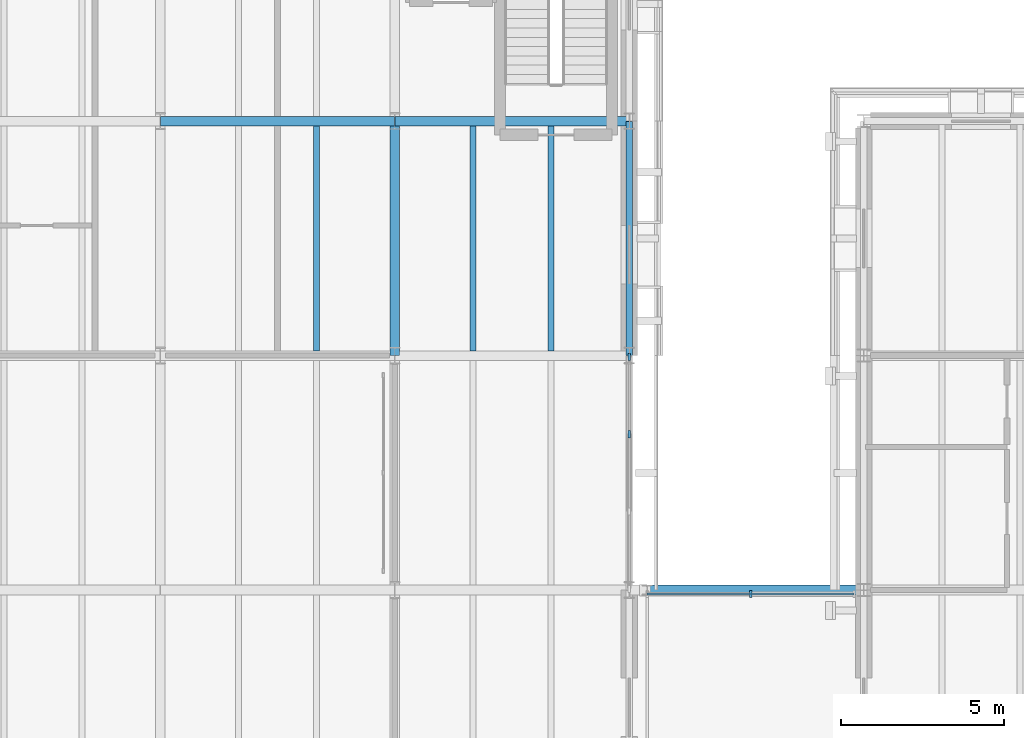
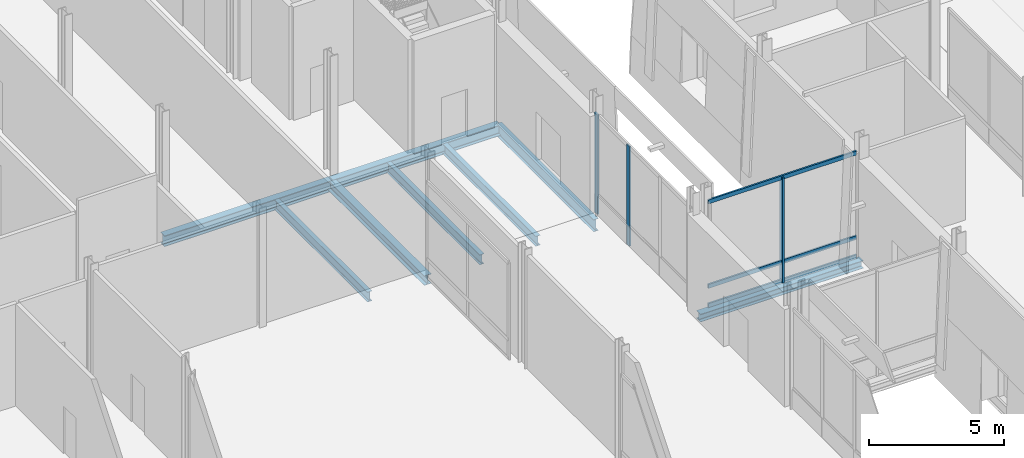
# One storey, part 30 of 120: 8 beams, 6 members, 2 elements without a shape of their own.
"""IFC4 building model written with IfcOpenShell, lengths in metres."""

from ifc_helpers import new_model, si_unit, direction, frame, origin, origin_2d, place, context, subcontext, project, spatial, rectangle, i_section, extrude, material, layer, layer_set, material_profile, profile_set, type_object, element, aggregate, save


model = new_model("IFC4")

# Units and contexts
model_context = context("Model", 3, precision=1e-05, world=origin(), true_north=direction((0.0, 1.0)))
body_context = subcontext(model_context, "Body", "Model", "MODEL_VIEW")
ifc_project = project(units=[si_unit("LENGTHUNIT", "METRE"), si_unit("AREAUNIT", "SQUARE_METRE"), si_unit("VOLUMEUNIT", "CUBIC_METRE"), si_unit("PLANEANGLEUNIT", "RADIAN"), si_unit("MASSUNIT", "GRAM", prefix="KILO")], contexts=[model_context])

# Site, building, storey
site_placement = place(None, origin())
site = spatial("IfcSite", under=ifc_project, at=site_placement, CompositionType="ELEMENT")
building_placement = place(site_placement, origin())
building = spatial("IfcBuilding", under=site, at=building_placement, Name="Narikvali Park Central Library", CompositionType="ELEMENT")
storey_placement = place(building_placement, origin())
storey = spatial("IfcBuildingStorey", under=building, at=storey_placement, Name="L00", CompositionType="ELEMENT", Elevation=0.0)

# Beams
ifc_material_1 = material(Name="Steel S355", Category="steel")
ifc_material_profile_1 = material_profile(ifc_material_1, i_section(OverallWidth=0.300048828125, OverallDepth=0.35009765625, WebThickness=0.010009765625, FlangeThickness=0.017578125, FilletRadius=0.027099609375, at=origin_2d()), Name="HEA 360")
ifc_profile_set_1 = profile_set([ifc_material_profile_1], Name="Steel S355")
beam_type_1 = type_object("IfcBeamType", Name="Bridge Sliding Girder HEA360", PredefinedType="BEAM", material=ifc_profile_set_1)
beam_1_placement = place(storey_placement, frame((57.820068359375, 79.199951171875, -0.425048828125), z_axis=(1.0, 0.0, 0.0), x_axis=(0.0, 1.0, 0.0)))
element("IfcBeam", 1, at=beam_1_placement, inside=storey, type_object=beam_type_1, Name="BRG-2 L00 Sliding Bridge Girder 2-1", PredefinedType="BEAM", context=body_context, shape_type="SweptSolid", body=[
    extrude(i_section(OverallWidth=0.300048828125, OverallDepth=0.35009765625, WebThickness=0.010009765625, FlangeThickness=0.017578125, FilletRadius=0.027099609375, at=origin_2d()), origin(), (0.0, 0.0, 1.0), 6.969970703125),
])
ifc_material_profile_2 = material_profile(ifc_material_1, i_section(OverallWidth=0.18994140625, OverallDepth=0.449951171875, WebThickness=0.009521484375, FlangeThickness=0.0146484375, FilletRadius=0.02099609375, at=origin_2d()), Name="IPE 450")
ifc_profile_set_2 = profile_set([ifc_material_profile_2], Name="Steel S355")
beam_type_2 = type_object("IfcBeamType", Name="Composite Floor Joist IPE450", PredefinedType="JOIST", material=ifc_profile_set_2)
for number, where, z_axis, x_axis, name in (
    (2, (48.0, 86.550048828125, -0.544921875), (0.0, 1.0, 0.0), (-1.0, 0.0, 0.0), "V4 L00 Composite Joist 2"),
    (3, (52.800048828125, 86.550048828125, -0.544921875), (0.0, 1.0, 0.0), (-1.0, 0.0, 0.0), "V4 L00 Composite Joist 1"),
    (4, (55.199951171875, 86.550048828125, -0.544921875), (0.0, 1.0, 0.0), (-1.0, 0.0, 0.0), "V4 L00 Composite Joist 2"),
):
    element("IfcBeam", number, at=place(storey_placement, frame(where, z_axis=z_axis, x_axis=x_axis)), inside=storey, type_object=beam_type_2, Name=name, PredefinedType="JOIST", context=body_context, shape_type="SweptSolid", body=[
        extrude(i_section(OverallWidth=0.18994140625, OverallDepth=0.449951171875, WebThickness=0.009521484375, FlangeThickness=0.0146484375, FilletRadius=0.02099609375, at=origin_2d()), origin(), (0.0, 0.0, 1.0), 6.89990234375),
    ])

# Curtain wall, members
ifc_material_2 = material(Name="Anodised Bronze Aluminium", Category="aluminium")
ifc_layer_1 = layer(ifc_material_2, 0.219970703125, Name="Anodised Bronze Aluminium")
ifc_layer_set_1 = layer_set([ifc_layer_1], Name="Anodised Bronze Aluminium")
curtain_wall_type_1 = type_object("IfcCurtainWallType", Name="Atrium Tall Curtain Wall System", PredefinedType="NOTDEFINED", material=ifc_layer_set_1)
curtain_wall_1_placement = place(storey_placement, origin())
curtain_wall_1 = element("IfcCurtainWall", 5, at=curtain_wall_1_placement, inside=storey, type_object=curtain_wall_type_1, Name="Atrium Tall Curtain Wall System CW-V4-L00-E-05", PredefinedType="NOTDEFINED")
ifc_material_profile_3 = material_profile(ifc_material_2, rectangle(XDim=0.074951171875, YDim=0.219970703125, at=origin_2d()), Name="CW MULLION 75x220")
ifc_profile_set_3 = profile_set([ifc_material_profile_3], Name="Anodised Bronze Aluminium")
member_type_1 = type_object("IfcMemberType", Name="Curtain Wall Heavy Mullion 75x220", PredefinedType="MULLION", material=ifc_profile_set_3)
member_1_placement = place(storey_placement, frame((57.60009765625, 83.9873046875, -0.010009765625), z_axis=(0.0, 0.0, 1.0), x_axis=(1.0, 0.0, 0.0)))
member_1 = element("IfcMember", 6, at=member_1_placement, type_object=member_type_1, Name="CW-V4-L00-E-05 Mullion 02", PredefinedType="MULLION", context=body_context, shape_type="SweptSolid", body=[
    extrude(rectangle(XDim=0.074951171875, YDim=0.219970703125, at=origin_2d()), origin(), (0.0, 0.0, 1.0), 4.510009765625),
])
member_2_placement = place(storey_placement, frame((57.60009765625, 86.362060546875, -0.010009765625), z_axis=(0.0, 0.0, 1.0), x_axis=(1.0, 0.0, 0.0)))
member_2 = element("IfcMember", 7, at=member_2_placement, type_object=member_type_1, Name="CW-V4-L00-E-05 Mullion 03", PredefinedType="MULLION", context=body_context, shape_type="SweptSolid", body=[
    extrude(rectangle(XDim=0.074951171875, YDim=0.219970703125, at=origin_2d()), origin(), (0.0, 0.0, 1.0), 4.510009765625),
])
aggregate(curtain_wall_1, [member_1, member_2])

ifc_layer_2 = layer(ifc_material_2, 0.219970703125, Name="Anodised Bronze Aluminium")
ifc_layer_set_2 = layer_set([ifc_layer_2], Name="Anodised Bronze Aluminium")
curtain_wall_type_2 = type_object("IfcCurtainWallType", Name="Bridge Covered Passage Glazing System", PredefinedType="NOTDEFINED", material=ifc_layer_set_2)
curtain_wall_2_placement = place(storey_placement, origin())
curtain_wall_2 = element("IfcCurtainWall", 8, at=curtain_wall_2_placement, inside=storey, type_object=curtain_wall_type_2, Name="Bridge Covered Passage Glazing System CW-BRG-2-L00-N1", PredefinedType="NOTDEFINED")
member_3_placement = place(storey_placement, frame((61.324951171875, 79.080078125, -0.010009765625), z_axis=(0.0, 0.0, 1.0), x_axis=(1.0, 0.0, 0.0)))
member_3 = element("IfcMember", 9, at=member_3_placement, type_object=member_type_1, Name="CW-BRG-2-L00-N1 Mullion 01", PredefinedType="MULLION", context=body_context, shape_type="SweptSolid", body=[
    extrude(rectangle(XDim=0.074951171875, YDim=0.219970703125, at=origin_2d()), origin(), (0.0, 0.0, 1.0), 4.760009765625),
])
ifc_material_profile_4 = material_profile(ifc_material_2, rectangle(XDim=0.074951171875, YDim=0.179931640625, at=origin_2d()), Name="CW TRANSOM 75x180")
ifc_profile_set_4 = profile_set([ifc_material_profile_4], Name="Anodised Bronze Aluminium")
member_type_2 = type_object("IfcMemberType", Name="Curtain Wall Heavy Transom 75x180", PredefinedType="USERDEFINED", material=ifc_profile_set_4)
member_4_placement = place(storey_placement, frame((58.14990234375, 79.080078125, 0.030029296875), z_axis=(1.0, 0.0, 0.0), x_axis=(0.0, 1.0, 0.0)))
member_4 = element("IfcMember", 10, at=member_4_placement, type_object=member_type_2, Name="CW-BRG-2-L00-N1 Transom 00", ObjectType="TRANSOM", PredefinedType="USERDEFINED", context=body_context, shape_type="SweptSolid", body=[
    extrude(rectangle(XDim=0.074951171875, YDim=0.179931640625, at=origin_2d()), origin(), (0.0, 0.0, 1.0), 6.35009765625),
])
member_5_placement = place(storey_placement, frame((58.14990234375, 79.080078125, 0.89990234375), z_axis=(1.0, 0.0, 0.0), x_axis=(0.0, 1.0, 0.0)))
member_5 = element("IfcMember", 11, at=member_5_placement, type_object=member_type_2, Name="CW-BRG-2-L00-N1 Transom 01", ObjectType="TRANSOM", PredefinedType="USERDEFINED", context=body_context, shape_type="SweptSolid", body=[
    extrude(rectangle(XDim=0.074951171875, YDim=0.179931640625, at=origin_2d()), origin(), (0.0, 0.0, 1.0), 6.35009765625),
])
member_6_placement = place(storey_placement, frame((58.14990234375, 79.080078125, 4.719970703125), z_axis=(1.0, 0.0, 0.0), x_axis=(0.0, 1.0, 0.0)))
member_6 = element("IfcMember", 12, at=member_6_placement, type_object=member_type_2, Name="CW-BRG-2-L00-N1 Transom 02", ObjectType="TRANSOM", PredefinedType="USERDEFINED", context=body_context, shape_type="SweptSolid", body=[
    extrude(rectangle(XDim=0.074951171875, YDim=0.179931640625, at=origin_2d()), origin(), (0.0, 0.0, 1.0), 6.35009765625),
])
aggregate(curtain_wall_2, [member_3, member_4, member_5, member_6])

# Beams
ifc_material_profile_5 = material_profile(ifc_material_1, i_section(OverallWidth=0.2099609375, OverallDepth=0.550048828125, WebThickness=0.010986328125, FlangeThickness=0.01708984375, FilletRadius=0.02392578125, at=origin_2d()), Name="IPE 550")
ifc_profile_set_5 = profile_set([ifc_material_profile_5], Name="Steel S355")
beam_type_3 = type_object("IfcBeamType", Name="Perimeter Spandrel IPE550", PredefinedType="SPANDREL", material=ifc_profile_set_5)
beam_2_placement = place(storey_placement, frame((57.60009765625, 86.407958984375, -0.594970703125), z_axis=(0.0, 1.0, 0.0), x_axis=(-1.0, 0.0, 0.0)))
element("IfcBeam", 13, at=beam_2_placement, inside=storey, type_object=beam_type_3, Name="V4 L00 Girder Y", PredefinedType="SPANDREL", context=body_context, shape_type="SweptSolid", body=[
    extrude(i_section(OverallWidth=0.2099609375, OverallDepth=0.550048828125, WebThickness=0.010986328125, FlangeThickness=0.01708984375, FilletRadius=0.02392578125, at=origin_2d()), origin(), (0.0, 0.0, 1.0), 7.18408203125),
])
ifc_material_profile_6 = material_profile(ifc_material_1, i_section(OverallWidth=0.300048828125, OverallDepth=0.43994140625, WebThickness=0.011474609375, FlangeThickness=0.02099609375, FilletRadius=0.027099609375, at=origin_2d()), Name="HEA 450")
ifc_profile_set_6 = profile_set([ifc_material_profile_6], Name="Steel S355")
beam_type_4 = type_object("IfcBeamType", Name="Primary Girder HEA450", PredefinedType="BEAM", material=ifc_profile_set_6)
beam_3_placement = place(storey_placement, frame((50.39990234375, 86.407958984375, -0.5400390625), z_axis=(0.0, 1.0, 0.0), x_axis=(-1.0, 0.0, 0.0)))
element("IfcBeam", 14, at=beam_3_placement, inside=storey, type_object=beam_type_4, Name="V4 L00 Girder Y", PredefinedType="BEAM", context=body_context, shape_type="SweptSolid", body=[
    extrude(i_section(OverallWidth=0.300048828125, OverallDepth=0.43994140625, WebThickness=0.011474609375, FlangeThickness=0.02099609375, FilletRadius=0.027099609375, at=origin_2d()), origin(), (0.0, 0.0, 1.0), 7.18408203125),
])
ifc_material_profile_7 = material_profile(ifc_material_1, i_section(OverallWidth=0.300048828125, OverallDepth=0.489990234375, WebThickness=0.011962890625, FlangeThickness=0.02294921875, FilletRadius=0.027099609375, at=origin_2d()), Name="HEA 500")
ifc_profile_set_7 = profile_set([ifc_material_profile_7], Name="Steel S355")
beam_type_5 = type_object("IfcBeamType", Name="Primary Girder HEA500", PredefinedType="BEAM", material=ifc_profile_set_7)
for number, where, z_axis, x_axis, name in (
    (15, (43.2080078125, 93.60009765625, -0.56494140625), (1.0, 0.0, 0.0), (0.0, 1.0, 0.0), "V4 L00 Girder X"),
    (16, (50.407958984375, 93.60009765625, -0.56494140625), (1.0, 0.0, 0.0), (0.0, 1.0, 0.0), "V4 L00 Girder X"),
):
    element("IfcBeam", number, at=place(storey_placement, frame(where, z_axis=z_axis, x_axis=x_axis)), inside=storey, type_object=beam_type_5, Name=name, PredefinedType="BEAM", context=body_context, shape_type="SweptSolid", body=[
        extrude(i_section(OverallWidth=0.300048828125, OverallDepth=0.489990234375, WebThickness=0.011962890625, FlangeThickness=0.02294921875, FilletRadius=0.027099609375, at=origin_2d()), origin(), (0.0, 0.0, 1.0), 7.18408203125),
    ])

save(model, "model.ifc")
